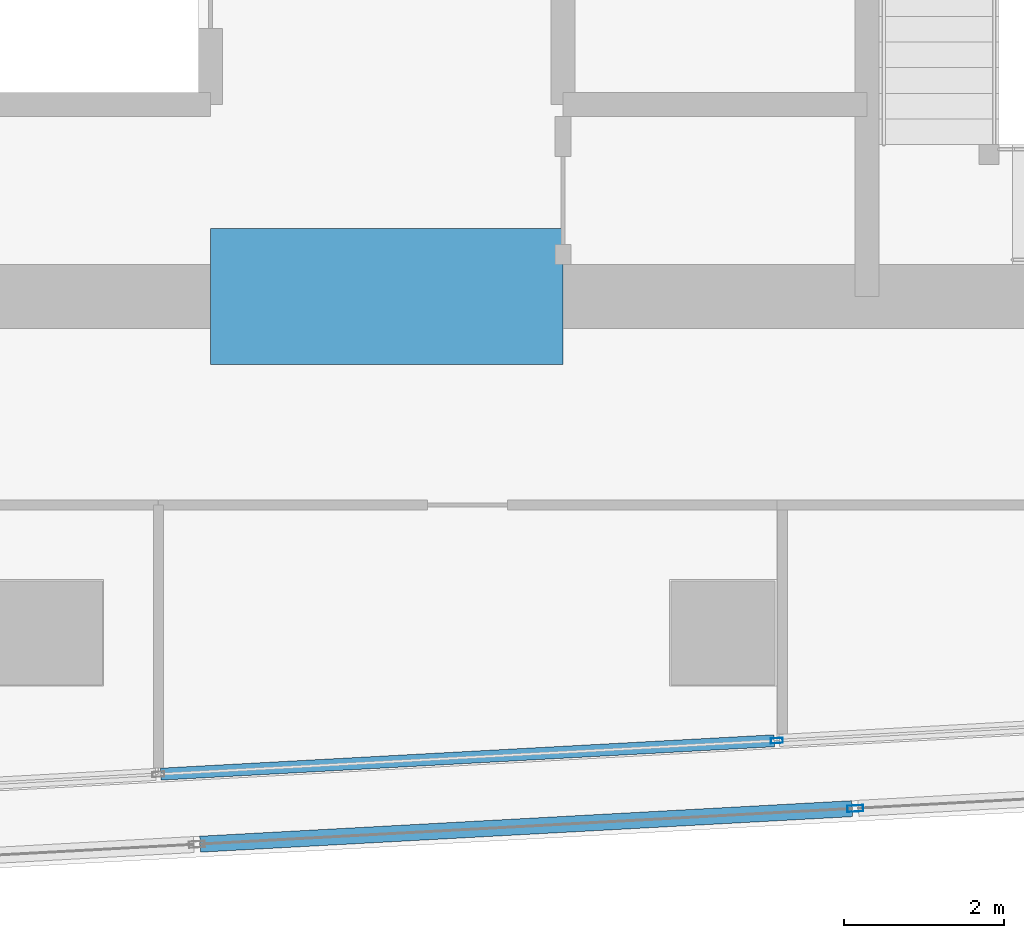
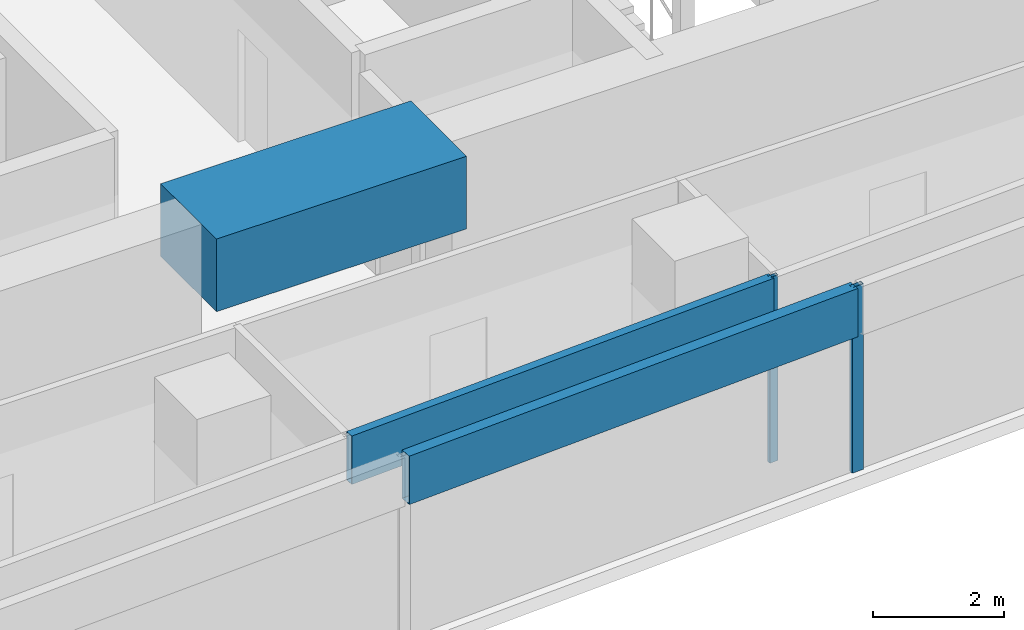
# One storey, part 9 of 30: 4 members, 1 beam, 2 elements without a shape of their own.
"""IFC4 building model written with IfcOpenShell, lengths in metres."""

from ifc_helpers import new_model, si_unit, direction, frame, origin, origin_2d, place, context, subcontext, project, spatial, rectangle, hollow_rectangle, extrude, material, material_profile, profile_set, type_object, element, aggregate, save


model = new_model("IFC4")

# Units and contexts
model_context = context("Model", 3, precision=1e-05, world=origin(), true_north=direction((0.0, 1.0)))
body_context = subcontext(model_context, "Body", "Model", "MODEL_VIEW")
ifc_project = project(units=[si_unit("LENGTHUNIT", "METRE"), si_unit("AREAUNIT", "SQUARE_METRE"), si_unit("VOLUMEUNIT", "CUBIC_METRE"), si_unit("PLANEANGLEUNIT", "RADIAN"), si_unit("MASSUNIT", "GRAM", prefix="KILO")], contexts=[model_context])

# Site, building, storey
site_placement = place(None, origin())
site = spatial("IfcSite", under=ifc_project, at=site_placement, CompositionType="ELEMENT")
building_placement = place(site_placement, origin())
building = spatial("IfcBuilding", under=site, at=building_placement, Name="Rekha Terrace Tower", CompositionType="ELEMENT")
storey_placement = place(building_placement, frame((0.0, 0.0, 287.60009765625)))
storey = spatial("IfcBuildingStorey", under=building, at=storey_placement, Name="L73", CompositionType="ELEMENT", Elevation=287.60009765625)

# Curtain wall, members
ifc_material_1 = material(Name="Aluminium framing", Category="aluminium")
curtain_wall_type_1 = type_object("IfcCurtainWallType", Name="CW1 double skin inner glazing", PredefinedType="USERDEFINED", material=ifc_material_1)
curtain_wall_1_placement = place(storey_placement, origin())
curtain_wall_1 = element("IfcCurtainWall", 1, at=curtain_wall_1_placement, inside=storey, type_object=curtain_wall_type_1, Name="CW1 double skin inner glazing", ObjectType="DOUBLE SKIN INNER GLAZING", PredefinedType="USERDEFINED")
ifc_material_2 = material(Name="Aluminium mullion section", Category="aluminium")
ifc_material_profile_1 = material_profile(ifc_material_2, hollow_rectangle(XDim=0.06494140625, YDim=0.14990234375, WallThickness=0.00390625, at=origin_2d()), Name="AL RHS 65x150")
ifc_profile_set_1 = profile_set([ifc_material_profile_1], Name="Aluminium mullion section")
member_type_1 = type_object("IfcMemberType", Name="CW1 mullion RHS 65 x 150", PredefinedType="MULLION", material=ifc_profile_set_1)
member_1_placement = place(storey_placement, frame((42.673583984375, 15.4541015625, 0.0), z_axis=(0.0, 0.0, 1.0), x_axis=(-0.054388903036, 0.998519828159, 0.0)))
member_1 = element("IfcMember", 2, at=member_1_placement, type_object=member_type_1, Name="CW1 mullion 3", PredefinedType="MULLION", context=body_context, shape_type="SweptSolid", body=[
    extrude(hollow_rectangle(XDim=0.06494140625, YDim=0.14990234375, WallThickness=0.00390625, at=origin_2d()), origin(), (0.0, 0.0, 1.0), 3.449951171875),
])
ifc_material_3 = material(Name="Insulated aluminium spandrel box", Category="aluminium")
ifc_material_profile_2 = material_profile(ifc_material_3, hollow_rectangle(XDim=0.14990234375, YDim=0.89990234375, WallThickness=0.0029296875, at=origin_2d()), Name="AL SPANDREL BOX 150x900")
ifc_profile_set_2 = profile_set([ifc_material_profile_2], Name="Insulated aluminium spandrel box")
member_type_2 = type_object("IfcMemberType", Name="CW1 spandrel transom 150 x 900", PredefinedType="USERDEFINED", material=ifc_profile_set_2)
member_2_placement = place(storey_placement, frame((34.980224609375, 15.03515625, 3.0), z_axis=(0.998520172557, 0.054382579907, 0.0), x_axis=(-0.054382579907, 0.998520172557, 0.0)))
member_2 = element("IfcMember", 3, at=member_2_placement, type_object=member_type_2, Name="CW1 spandrel transom 2", ObjectType="TRANSOM", PredefinedType="USERDEFINED", context=body_context, shape_type="SweptSolid", body=[
    extrude(hollow_rectangle(XDim=0.14990234375, YDim=0.89990234375, WallThickness=0.0029296875, at=origin_2d()), origin(), (0.0, 0.0, 1.0), 7.67236328125),
])
aggregate(curtain_wall_1, [member_1, member_2])

curtain_wall_type_2 = type_object("IfcCurtainWallType", Name="CW2 double skin outer glazing", PredefinedType="USERDEFINED", material=ifc_material_1)
curtain_wall_2_placement = place(storey_placement, origin())
curtain_wall_2 = element("IfcCurtainWall", 4, at=curtain_wall_2_placement, inside=storey, type_object=curtain_wall_type_2, Name="CW2 double skin outer glazing", ObjectType="DOUBLE SKIN OUTER GLAZING", PredefinedType="USERDEFINED")
ifc_material_profile_3 = material_profile(ifc_material_2, hollow_rectangle(XDim=0.080078125, YDim=0.199951171875, WallThickness=0.00390625, at=origin_2d()), Name="AL RHS 80x200")
ifc_profile_set_3 = profile_set([ifc_material_profile_3], Name="Aluminium mullion section")
member_type_3 = type_object("IfcMemberType", Name="CW2 mullion RHS 80 x 200", PredefinedType="MULLION", material=ifc_profile_set_3)
member_3_placement = place(storey_placement, frame((43.6533203125, 14.606201171875, 0.0), z_axis=(0.0, 0.0, 1.0), x_axis=(-0.054388903071, 0.998519828157, 0.0)))
member_3 = element("IfcMember", 5, at=member_3_placement, type_object=member_type_3, Name="CW2 mullion 3", PredefinedType="MULLION", context=body_context, shape_type="SweptSolid", body=[
    extrude(hollow_rectangle(XDim=0.080078125, YDim=0.199951171875, WallThickness=0.00390625, at=origin_2d()), origin(), (0.0, 0.0, 1.0), 3.449951171875),
])
ifc_material_profile_4 = material_profile(ifc_material_3, hollow_rectangle(XDim=0.199951171875, YDim=0.89990234375, WallThickness=0.0029296875, at=origin_2d()), Name="AL SPANDREL BOX 200x900")
ifc_profile_set_4 = profile_set([ifc_material_profile_4], Name="Insulated aluminium spandrel box")
member_type_4 = type_object("IfcMemberType", Name="CW2 spandrel transom 200 x 900", PredefinedType="USERDEFINED", material=ifc_profile_set_4)
member_4_placement = place(storey_placement, frame((35.469970703125, 14.160400390625, 3.0), z_axis=(0.998519553524, 0.054393944798, 0.0), x_axis=(-0.054393944798, 0.998519553524, 0.0)))
member_4 = element("IfcMember", 6, at=member_4_placement, type_object=member_type_4, Name="CW2 spandrel transom 2", ObjectType="TRANSOM", PredefinedType="USERDEFINED", context=body_context, shape_type="SweptSolid", body=[
    extrude(hollow_rectangle(XDim=0.199951171875, YDim=0.89990234375, WallThickness=0.0029296875, at=origin_2d()), origin(), (0.0, 0.0, 1.0), 8.1552734375),
])
aggregate(curtain_wall_2, [member_3, member_4])

# Beam
ifc_material_4 = material(Name="Concrete M60", Category="concrete")
ifc_material_profile_5 = material_profile(ifc_material_4, rectangle(XDim=1.699951171875, YDim=1.35009765625, at=origin_2d()), Name="RC 1700x1350")
ifc_profile_set_5 = profile_set([ifc_material_profile_5], Name="Concrete M60")
beam_type = type_object("IfcBeamType", Name="LB5A 1700x1350 diagonally reinforced coupling beam", PredefinedType="LINTEL", material=ifc_profile_set_5)
beam_placement = place(storey_placement, frame((35.60009765625, 21.0, 3.074951171875), z_axis=(1.0, 0.0, 0.0), x_axis=(0.0, 1.0, 0.0)))
element("IfcBeam", 7, at=beam_placement, inside=storey, type_object=beam_type, Name="Coupling beam LB5A S L73", PredefinedType="LINTEL", context=body_context, shape_type="SweptSolid", body=[
    extrude(rectangle(XDim=1.699951171875, YDim=1.35009765625, at=origin_2d()), origin(), (0.0, 0.0, 1.0), 4.39990234375),
])

save(model, "model.ifc")
